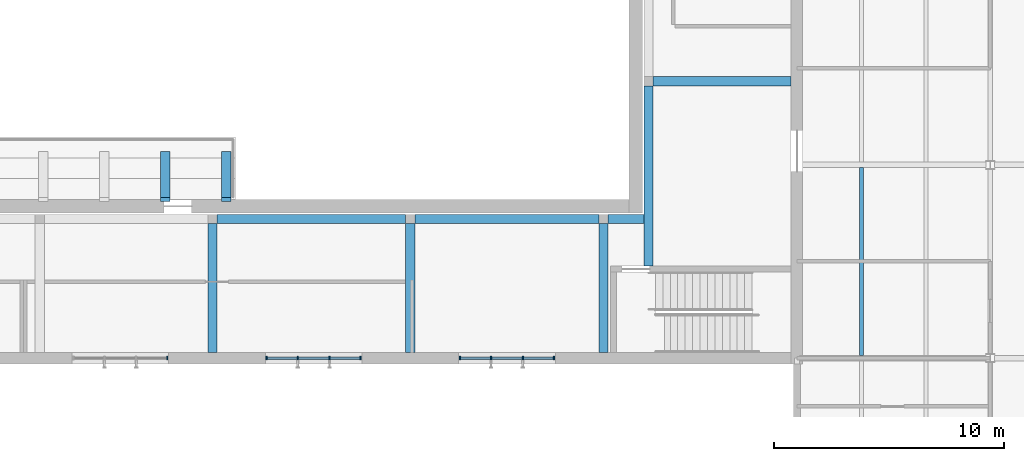
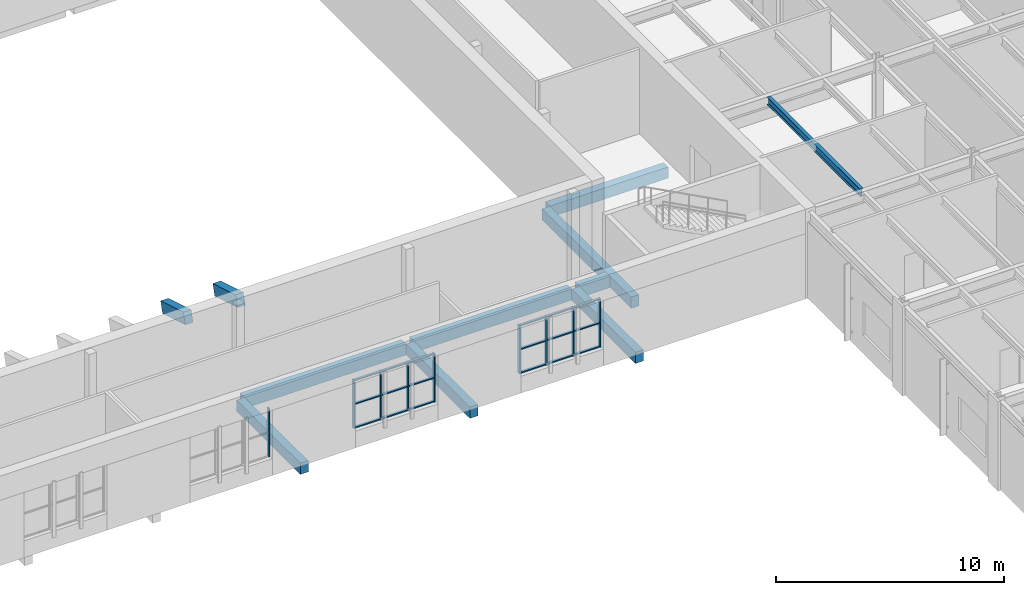
# One storey, part 26 of 127: 27 members, 11 beams, 3 elements without a shape of their own.
"""IFC4 building model written with IfcOpenShell, lengths in metres."""

from ifc_helpers import new_model, si_unit, direction, frame, origin, origin_2d, place, context, subcontext, project, spatial, rectangle, i_section, extrude, material, material_profile, profile_set, type_object, element, aggregate, save


model = new_model("IFC4")

# Units and contexts
model_context = context("Model", 3, precision=1e-05, world=origin(), true_north=direction((0.0, 1.0)))
body_context = subcontext(model_context, "Body", "Model", "MODEL_VIEW")
ifc_project = project(units=[si_unit("LENGTHUNIT", "METRE"), si_unit("AREAUNIT", "SQUARE_METRE"), si_unit("VOLUMEUNIT", "CUBIC_METRE"), si_unit("PLANEANGLEUNIT", "RADIAN"), si_unit("MASSUNIT", "GRAM", prefix="KILO")], contexts=[model_context])

# Site, building, storey
site_placement = place(None, origin())
site = spatial("IfcSite", under=ifc_project, at=site_placement, CompositionType="ELEMENT")
building_placement = place(site_placement, origin())
building = spatial("IfcBuilding", under=site, at=building_placement, Name="Ljudholm Concert House", CompositionType="ELEMENT")
storey_placement = place(building_placement, frame((0.0, 0.0, 5.39990234375)))
storey = spatial("IfcBuildingStorey", under=building, at=storey_placement, Name="L01", CompositionType="ELEMENT", Elevation=5.39990234375)

# Curtain wall, member
ifc_material_1 = material(Name="Aluminium curtain wall with impact-rated laminated glass", Category="aluminium")
curtain_wall_type = type_object("IfcCurtainWallType", Name="CURTAIN WALL 1400", PredefinedType="NOTDEFINED", material=ifc_material_1)
curtain_wall_1_placement = place(storey_placement, origin())
curtain_wall_1 = element("IfcCurtainWall", 1, at=curtain_wall_1_placement, inside=storey, type_object=curtain_wall_type, Name="Promenade curtain wall", PredefinedType="NOTDEFINED")
ifc_material_2 = material(Name="Aluminium extrusion", Category="aluminium")
ifc_material_profile_1 = material_profile(ifc_material_2, rectangle(XDim=0.159912109375, YDim=0.06005859375, at=origin_2d()), Name="MULLION 60x160")
ifc_profile_set_1 = profile_set([ifc_material_profile_1], Name="Aluminium extrusion")
member_type_1 = type_object("IfcMemberType", Name="MULLION 60x160", PredefinedType="MULLION", material=ifc_profile_set_1)
member_1_placement = place(storey_placement, frame((69.0400390625, 54.39990234375, 0.900146484375), z_axis=(0.0, 0.0, 1.0), x_axis=(0.0, 1.0, 0.0)))
member_1 = element("IfcMember", 2, at=member_1_placement, type_object=member_type_1, Name="Mullion", PredefinedType="MULLION", context=body_context, shape_type="SweptSolid", body=[
    extrude(rectangle(XDim=0.159912109375, YDim=0.06005859375, at=origin_2d()), origin(), (0.0, 0.0, 1.0), 2.599853515625),
])
aggregate(curtain_wall_1, [member_1])

# Curtain wall, members
curtain_wall_2_placement = place(storey_placement, origin())
curtain_wall_2 = element("IfcCurtainWall", 3, at=curtain_wall_2_placement, inside=storey, type_object=curtain_wall_type, Name="Promenade curtain wall", PredefinedType="NOTDEFINED")
member_2_placement = place(storey_placement, frame((73.360107421875, 54.39990234375, 0.900146484375), z_axis=(0.0, 0.0, 1.0), x_axis=(0.0, 1.0, 0.0)))
member_2 = element("IfcMember", 4, at=member_2_placement, type_object=member_type_1, Name="Mullion", PredefinedType="MULLION", context=body_context, shape_type="SweptSolid", body=[
    extrude(rectangle(XDim=0.159912109375, YDim=0.06005859375, at=origin_2d()), origin(), (0.0, 0.0, 1.0), 2.599853515625),
])
member_3_placement = place(storey_placement, frame((74.7099609375, 54.39990234375, 0.900146484375), z_axis=(0.0, 0.0, 1.0), x_axis=(0.0, 1.0, 0.0)))
member_3 = element("IfcMember", 5, at=member_3_placement, type_object=member_type_1, Name="Mullion", PredefinedType="MULLION", context=body_context, shape_type="SweptSolid", body=[
    extrude(rectangle(XDim=0.159912109375, YDim=0.06005859375, at=origin_2d()), origin(), (0.0, 0.0, 1.0), 2.599853515625),
])
member_4_placement = place(storey_placement, frame((76.090087890625, 54.39990234375, 0.900146484375), z_axis=(0.0, 0.0, 1.0), x_axis=(0.0, 1.0, 0.0)))
member_4 = element("IfcMember", 6, at=member_4_placement, type_object=member_type_1, Name="Mullion", PredefinedType="MULLION", context=body_context, shape_type="SweptSolid", body=[
    extrude(rectangle(XDim=0.159912109375, YDim=0.06005859375, at=origin_2d()), origin(), (0.0, 0.0, 1.0), 2.599853515625),
])
member_5_placement = place(storey_placement, frame((77.43994140625, 54.39990234375, 0.900146484375), z_axis=(0.0, 0.0, 1.0), x_axis=(0.0, 1.0, 0.0)))
member_5 = element("IfcMember", 7, at=member_5_placement, type_object=member_type_1, Name="Mullion", PredefinedType="MULLION", context=body_context, shape_type="SweptSolid", body=[
    extrude(rectangle(XDim=0.159912109375, YDim=0.06005859375, at=origin_2d()), origin(), (0.0, 0.0, 1.0), 2.599853515625),
])

curtain_wall_3_placement = place(storey_placement, origin())
curtain_wall_3 = element("IfcCurtainWall", 8, at=curtain_wall_3_placement, inside=storey, type_object=curtain_wall_type, Name="Promenade curtain wall", PredefinedType="NOTDEFINED")
member_6_placement = place(storey_placement, frame((81.760009765625, 54.39990234375, 0.900146484375), z_axis=(0.0, 0.0, 1.0), x_axis=(0.0, 1.0, 0.0)))
member_6 = element("IfcMember", 9, at=member_6_placement, type_object=member_type_1, Name="Mullion", PredefinedType="MULLION", context=body_context, shape_type="SweptSolid", body=[
    extrude(rectangle(XDim=0.159912109375, YDim=0.06005859375, at=origin_2d()), origin(), (0.0, 0.0, 1.0), 2.599853515625),
])
member_7_placement = place(storey_placement, frame((83.110107421875, 54.39990234375, 0.900146484375), z_axis=(0.0, 0.0, 1.0), x_axis=(0.0, 1.0, 0.0)))
member_7 = element("IfcMember", 10, at=member_7_placement, type_object=member_type_1, Name="Mullion", PredefinedType="MULLION", context=body_context, shape_type="SweptSolid", body=[
    extrude(rectangle(XDim=0.159912109375, YDim=0.06005859375, at=origin_2d()), origin(), (0.0, 0.0, 1.0), 2.599853515625),
])
member_8_placement = place(storey_placement, frame((84.489990234375, 54.39990234375, 0.900146484375), z_axis=(0.0, 0.0, 1.0), x_axis=(0.0, 1.0, 0.0)))
member_8 = element("IfcMember", 11, at=member_8_placement, type_object=member_type_1, Name="Mullion", PredefinedType="MULLION", context=body_context, shape_type="SweptSolid", body=[
    extrude(rectangle(XDim=0.159912109375, YDim=0.06005859375, at=origin_2d()), origin(), (0.0, 0.0, 1.0), 2.599853515625),
])
member_9_placement = place(storey_placement, frame((85.840087890625, 54.39990234375, 0.900146484375), z_axis=(0.0, 0.0, 1.0), x_axis=(0.0, 1.0, 0.0)))
member_9 = element("IfcMember", 12, at=member_9_placement, type_object=member_type_1, Name="Mullion", PredefinedType="MULLION", context=body_context, shape_type="SweptSolid", body=[
    extrude(rectangle(XDim=0.159912109375, YDim=0.06005859375, at=origin_2d()), origin(), (0.0, 0.0, 1.0), 2.599853515625),
])

# Beams
ifc_material_3 = material(Name="Concrete 6,500 psi", Category="concrete")
ifc_material_profile_2 = material_profile(ifc_material_3, rectangle(XDim=0.39990234375, YDim=0.60009765625, at=origin_2d()), Name="RC BEAM 400x600")
ifc_profile_set_2 = profile_set([ifc_material_profile_2], Name="Concrete 6,500 psi")
beam_type_1 = type_object("IfcBeamType", Name="RC BEAM 400x600", PredefinedType="BEAM", material=ifc_profile_set_2)
beam_1_placement = place(storey_placement, frame((71.199951171875, 60.449951171875, -0.5498046875), z_axis=(1.0, 0.0, 0.0), x_axis=(0.0, 1.0, 0.0)))
element("IfcBeam", 13, at=beam_1_placement, inside=storey, type_object=beam_type_1, Name="Ring beam", PredefinedType="BEAM", context=body_context, shape_type="SweptSolid", body=[
    extrude(rectangle(XDim=0.39990234375, YDim=0.60009765625, at=origin_2d()), origin(), (0.0, 0.0, 1.0), 8.199951171875),
])
beam_2_placement = place(storey_placement, frame((79.800048828125, 60.449951171875, -0.5498046875), z_axis=(1.0, 0.0, 0.0), x_axis=(0.0, 1.0, 0.0)))
element("IfcBeam", 14, at=beam_2_placement, inside=storey, type_object=beam_type_1, Name="Ring beam", PredefinedType="BEAM", context=body_context, shape_type="SweptSolid", body=[
    extrude(rectangle(XDim=0.39990234375, YDim=0.60009765625, at=origin_2d()), origin(), (0.0, 0.0, 1.0), 8.0),
])
for number, where, z_axis, x_axis, name in (
    (15, (71.0, 60.25, -0.5498046875), (0.0, -1.0, 0.0), (1.0, 0.0, 0.0), "Ring cross beam"),
    (16, (79.60009765625, 60.25, -0.5498046875), (0.0, -1.0, 0.0), (1.0, 0.0, 0.0), "Ring cross beam"),
    (17, (88.0, 60.25, -0.5498046875), (0.0, -1.0, 0.0), (1.0, 0.0, 0.0), "Ring cross beam"),
):
    element("IfcBeam", number, at=place(storey_placement, frame(where, z_axis=z_axis, x_axis=x_axis)), inside=storey, type_object=beam_type_1, Name=name, PredefinedType="BEAM", context=body_context, shape_type="SweptSolid", body=[
        extrude(rectangle(XDim=0.39990234375, YDim=0.60009765625, at=origin_2d()), origin(), (0.0, 0.0, 1.0), 5.60009765625),
    ])
beam_3_placement = place(storey_placement, frame((90.14990234375, 66.429931640625, -0.5498046875), z_axis=(1.0, 0.0, 0.0), x_axis=(0.0, 1.0, 0.0)))
element("IfcBeam", 18, at=beam_3_placement, inside=storey, type_object=beam_type_1, Name="Ring cross beam", PredefinedType="BEAM", context=body_context, shape_type="SweptSolid", body=[
    extrude(rectangle(XDim=0.39990234375, YDim=0.60009765625, at=origin_2d()), origin(), (0.0, 0.0, 1.0), 6.0),
])
beam_4_placement = place(storey_placement, frame((88.199951171875, 60.449951171875, -0.5498046875), z_axis=(1.0, 0.0, 0.0), x_axis=(0.0, 1.0, 0.0)))
element("IfcBeam", 19, at=beam_4_placement, inside=storey, type_object=beam_type_1, Name="Ring beam", PredefinedType="BEAM", context=body_context, shape_type="SweptSolid", body=[
    extrude(rectangle(XDim=0.39990234375, YDim=0.60009765625, at=origin_2d()), origin(), (0.0, 0.0, 1.0), 1.550048828125),
])
beam_5_placement = place(storey_placement, frame((89.949951171875, 58.39990234375, -0.5498046875), z_axis=(0.0, 1.0, 0.0), x_axis=(-1.0, 0.0, 0.0)))
element("IfcBeam", 20, at=beam_5_placement, inside=storey, type_object=beam_type_1, Name="Ring beam", PredefinedType="BEAM", context=body_context, shape_type="SweptSolid", body=[
    extrude(rectangle(XDim=0.39990234375, YDim=0.60009765625, at=origin_2d()), origin(), (0.0, 0.0, 1.0), 7.830078125),
])
ifc_material_4 = material(Name="Concrete 6,500 psi", Category="concrete")
ifc_material_profile_3 = material_profile(ifc_material_4, rectangle(XDim=0.39990234375, YDim=0.60009765625, at=origin_2d()), Name="RC BEAM 400x600 BEAM")
ifc_profile_set_3 = profile_set([ifc_material_profile_3], Name="Concrete 6,500 psi")
beam_type_2 = type_object("IfcBeamType", Name="RC BEAM 400x600 BEAM", PredefinedType="BEAM", material=ifc_profile_set_3)
for number, where, z_axis, x_axis, name in (
    (21, (68.949951171875, 61.300048828125, 4.2001953125), (0.0, 0.957813412269, -0.287390791914), (-1.0, 0.0, 0.0), "Gallery bracket beam"),
    (22, (71.60009765625, 61.300048828125, 4.2001953125), (0.0, 0.957813412269, -0.287390791914), (-1.0, 0.0, 0.0), "Gallery bracket beam"),
):
    element("IfcBeam", number, at=place(storey_placement, frame(where, z_axis=z_axis, x_axis=x_axis)), inside=storey, type_object=beam_type_2, Name=name, PredefinedType="BEAM", context=body_context, shape_type="SweptSolid", body=[
        extrude(rectangle(XDim=0.39990234375, YDim=0.60009765625, at=origin_2d()), origin(), (0.0, 0.0, 1.0), 2.088134765625),
    ])
ifc_material_5 = material(Name="Steel ASTM A992", Category="steel")
ifc_material_profile_4 = material_profile(ifc_material_5, i_section(OverallWidth=0.177734375, OverallDepth=0.406494140625, WebThickness=0.0078125, FlangeThickness=0.012939453125, FilletRadius=0.01025390625, at=origin_2d()), Name="W16X40")
ifc_profile_set_4 = profile_set([ifc_material_profile_4], Name="Steel ASTM A992")
beam_type_3 = type_object("IfcBeamType", Name="STEEL BEAM W16X40", PredefinedType="BEAM", material=ifc_profile_set_4)
beam_6_placement = place(storey_placement, frame((99.199951171875, 54.5146484375, 4.4169921875), z_axis=(0.0, 1.0, 0.0), x_axis=(-1.0, 0.0, 0.0)))
element("IfcBeam", 23, at=beam_6_placement, inside=storey, type_object=beam_type_3, Name="Beam BOH-L02-sb-99.2-54.4", PredefinedType="BEAM", context=body_context, shape_type="SweptSolid", body=[
    extrude(i_section(OverallWidth=0.177734375, OverallDepth=0.406494140625, WebThickness=0.0078125, FlangeThickness=0.012939453125, FilletRadius=0.01025390625, at=origin_2d()), origin(), (0.0, 0.0, 1.0), 8.1708984375),
])

# Member
ifc_material_6 = material(Name="Aluminium extrusion", Category="aluminium")
ifc_material_profile_5 = material_profile(ifc_material_6, rectangle(XDim=0.1201171875, YDim=0.06005859375, at=origin_2d()), Name="TRANSOM 60x120")
ifc_profile_set_5 = profile_set([ifc_material_profile_5], Name="Aluminium extrusion")
member_type_2 = type_object("IfcMemberType", Name="TRANSOM 60x120", PredefinedType="USERDEFINED", material=ifc_profile_set_5)
member_10_placement = place(storey_placement, frame((73.389892578125, 54.39990234375, 0.93017578125), z_axis=(1.0, 0.0, 0.0), x_axis=(0.0, 1.0, 0.0)))
member_10 = element("IfcMember", 24, at=member_10_placement, type_object=member_type_2, Name="Transom", ObjectType="TRANSOM", PredefinedType="USERDEFINED", context=body_context, shape_type="SweptSolid", body=[
    extrude(rectangle(XDim=0.1201171875, YDim=0.06005859375, at=origin_2d()), origin(), (0.0, 0.0, 1.0), 1.2900390625),
])

member_11_placement = place(storey_placement, frame((73.389892578125, 54.39990234375, 2.2001953125), z_axis=(1.0, 0.0, 0.0), x_axis=(0.0, 1.0, 0.0)))
member_11 = element("IfcMember", 25, at=member_11_placement, type_object=member_type_2, Name="Transom", ObjectType="TRANSOM", PredefinedType="USERDEFINED", context=body_context, shape_type="SweptSolid", body=[
    extrude(rectangle(XDim=0.1201171875, YDim=0.06005859375, at=origin_2d()), origin(), (0.0, 0.0, 1.0), 1.2900390625),
])

member_12_placement = place(storey_placement, frame((73.389892578125, 54.39990234375, 3.47021484375), z_axis=(1.0, 0.0, 0.0), x_axis=(0.0, 1.0, 0.0)))
member_12 = element("IfcMember", 26, at=member_12_placement, type_object=member_type_2, Name="Transom", ObjectType="TRANSOM", PredefinedType="USERDEFINED", context=body_context, shape_type="SweptSolid", body=[
    extrude(rectangle(XDim=0.1201171875, YDim=0.06005859375, at=origin_2d()), origin(), (0.0, 0.0, 1.0), 1.2900390625),
])

member_13_placement = place(storey_placement, frame((74.739990234375, 54.39990234375, 0.93017578125), z_axis=(1.0, 0.0, 0.0), x_axis=(0.0, 1.0, 0.0)))
member_13 = element("IfcMember", 27, at=member_13_placement, type_object=member_type_2, Name="Transom", ObjectType="TRANSOM", PredefinedType="USERDEFINED", context=body_context, shape_type="SweptSolid", body=[
    extrude(rectangle(XDim=0.1201171875, YDim=0.06005859375, at=origin_2d()), origin(), (0.0, 0.0, 1.0), 1.320068359375),
])

member_14_placement = place(storey_placement, frame((74.739990234375, 54.39990234375, 2.2001953125), z_axis=(1.0, 0.0, 0.0), x_axis=(0.0, 1.0, 0.0)))
member_14 = element("IfcMember", 28, at=member_14_placement, type_object=member_type_2, Name="Transom", ObjectType="TRANSOM", PredefinedType="USERDEFINED", context=body_context, shape_type="SweptSolid", body=[
    extrude(rectangle(XDim=0.1201171875, YDim=0.06005859375, at=origin_2d()), origin(), (0.0, 0.0, 1.0), 1.320068359375),
])

member_15_placement = place(storey_placement, frame((74.739990234375, 54.39990234375, 3.47021484375), z_axis=(1.0, 0.0, 0.0), x_axis=(0.0, 1.0, 0.0)))
member_15 = element("IfcMember", 29, at=member_15_placement, type_object=member_type_2, Name="Transom", ObjectType="TRANSOM", PredefinedType="USERDEFINED", context=body_context, shape_type="SweptSolid", body=[
    extrude(rectangle(XDim=0.1201171875, YDim=0.06005859375, at=origin_2d()), origin(), (0.0, 0.0, 1.0), 1.320068359375),
])

member_16_placement = place(storey_placement, frame((76.1201171875, 54.39990234375, 0.93017578125), z_axis=(1.0, 0.0, 0.0), x_axis=(0.0, 1.0, 0.0)))
member_16 = element("IfcMember", 30, at=member_16_placement, type_object=member_type_2, Name="Transom", ObjectType="TRANSOM", PredefinedType="USERDEFINED", context=body_context, shape_type="SweptSolid", body=[
    extrude(rectangle(XDim=0.1201171875, YDim=0.06005859375, at=origin_2d()), origin(), (0.0, 0.0, 1.0), 1.289794921875),
])

member_17_placement = place(storey_placement, frame((76.1201171875, 54.39990234375, 2.2001953125), z_axis=(1.0, 0.0, 0.0), x_axis=(0.0, 1.0, 0.0)))
member_17 = element("IfcMember", 31, at=member_17_placement, type_object=member_type_2, Name="Transom", ObjectType="TRANSOM", PredefinedType="USERDEFINED", context=body_context, shape_type="SweptSolid", body=[
    extrude(rectangle(XDim=0.1201171875, YDim=0.06005859375, at=origin_2d()), origin(), (0.0, 0.0, 1.0), 1.289794921875),
])

member_18_placement = place(storey_placement, frame((76.1201171875, 54.39990234375, 3.47021484375), z_axis=(1.0, 0.0, 0.0), x_axis=(0.0, 1.0, 0.0)))
member_18 = element("IfcMember", 32, at=member_18_placement, type_object=member_type_2, Name="Transom", ObjectType="TRANSOM", PredefinedType="USERDEFINED", context=body_context, shape_type="SweptSolid", body=[
    extrude(rectangle(XDim=0.1201171875, YDim=0.06005859375, at=origin_2d()), origin(), (0.0, 0.0, 1.0), 1.289794921875),
])

aggregate(curtain_wall_2, [member_2, member_3, member_4, member_5, member_10, member_11, member_12, member_13, member_14, member_15, member_16, member_17, member_18])

member_19_placement = place(storey_placement, frame((81.7900390625, 54.39990234375, 0.93017578125), z_axis=(1.0, 0.0, 0.0), x_axis=(0.0, 1.0, 0.0)))
member_19 = element("IfcMember", 33, at=member_19_placement, type_object=member_type_2, Name="Transom", ObjectType="TRANSOM", PredefinedType="USERDEFINED", context=body_context, shape_type="SweptSolid", body=[
    extrude(rectangle(XDim=0.1201171875, YDim=0.06005859375, at=origin_2d()), origin(), (0.0, 0.0, 1.0), 1.2900390625),
])

member_20_placement = place(storey_placement, frame((81.7900390625, 54.39990234375, 2.2001953125), z_axis=(1.0, 0.0, 0.0), x_axis=(0.0, 1.0, 0.0)))
member_20 = element("IfcMember", 34, at=member_20_placement, type_object=member_type_2, Name="Transom", ObjectType="TRANSOM", PredefinedType="USERDEFINED", context=body_context, shape_type="SweptSolid", body=[
    extrude(rectangle(XDim=0.1201171875, YDim=0.06005859375, at=origin_2d()), origin(), (0.0, 0.0, 1.0), 1.2900390625),
])

member_21_placement = place(storey_placement, frame((81.7900390625, 54.39990234375, 3.47021484375), z_axis=(1.0, 0.0, 0.0), x_axis=(0.0, 1.0, 0.0)))
member_21 = element("IfcMember", 35, at=member_21_placement, type_object=member_type_2, Name="Transom", ObjectType="TRANSOM", PredefinedType="USERDEFINED", context=body_context, shape_type="SweptSolid", body=[
    extrude(rectangle(XDim=0.1201171875, YDim=0.06005859375, at=origin_2d()), origin(), (0.0, 0.0, 1.0), 1.2900390625),
])

member_22_placement = place(storey_placement, frame((83.139892578125, 54.39990234375, 0.93017578125), z_axis=(1.0, 0.0, 0.0), x_axis=(0.0, 1.0, 0.0)))
member_22 = element("IfcMember", 36, at=member_22_placement, type_object=member_type_2, Name="Transom", ObjectType="TRANSOM", PredefinedType="USERDEFINED", context=body_context, shape_type="SweptSolid", body=[
    extrude(rectangle(XDim=0.1201171875, YDim=0.06005859375, at=origin_2d()), origin(), (0.0, 0.0, 1.0), 1.320068359375),
])

member_23_placement = place(storey_placement, frame((83.139892578125, 54.39990234375, 2.2001953125), z_axis=(1.0, 0.0, 0.0), x_axis=(0.0, 1.0, 0.0)))
member_23 = element("IfcMember", 37, at=member_23_placement, type_object=member_type_2, Name="Transom", ObjectType="TRANSOM", PredefinedType="USERDEFINED", context=body_context, shape_type="SweptSolid", body=[
    extrude(rectangle(XDim=0.1201171875, YDim=0.06005859375, at=origin_2d()), origin(), (0.0, 0.0, 1.0), 1.320068359375),
])

member_24_placement = place(storey_placement, frame((83.139892578125, 54.39990234375, 3.47021484375), z_axis=(1.0, 0.0, 0.0), x_axis=(0.0, 1.0, 0.0)))
member_24 = element("IfcMember", 38, at=member_24_placement, type_object=member_type_2, Name="Transom", ObjectType="TRANSOM", PredefinedType="USERDEFINED", context=body_context, shape_type="SweptSolid", body=[
    extrude(rectangle(XDim=0.1201171875, YDim=0.06005859375, at=origin_2d()), origin(), (0.0, 0.0, 1.0), 1.320068359375),
])

member_25_placement = place(storey_placement, frame((84.52001953125, 54.39990234375, 0.93017578125), z_axis=(1.0, 0.0, 0.0), x_axis=(0.0, 1.0, 0.0)))
member_25 = element("IfcMember", 39, at=member_25_placement, type_object=member_type_2, Name="Transom", ObjectType="TRANSOM", PredefinedType="USERDEFINED", context=body_context, shape_type="SweptSolid", body=[
    extrude(rectangle(XDim=0.1201171875, YDim=0.06005859375, at=origin_2d()), origin(), (0.0, 0.0, 1.0), 1.2900390625),
])

member_26_placement = place(storey_placement, frame((84.52001953125, 54.39990234375, 2.2001953125), z_axis=(1.0, 0.0, 0.0), x_axis=(0.0, 1.0, 0.0)))
member_26 = element("IfcMember", 40, at=member_26_placement, type_object=member_type_2, Name="Transom", ObjectType="TRANSOM", PredefinedType="USERDEFINED", context=body_context, shape_type="SweptSolid", body=[
    extrude(rectangle(XDim=0.1201171875, YDim=0.06005859375, at=origin_2d()), origin(), (0.0, 0.0, 1.0), 1.2900390625),
])

member_27_placement = place(storey_placement, frame((84.52001953125, 54.39990234375, 3.47021484375), z_axis=(1.0, 0.0, 0.0), x_axis=(0.0, 1.0, 0.0)))
member_27 = element("IfcMember", 41, at=member_27_placement, type_object=member_type_2, Name="Transom", ObjectType="TRANSOM", PredefinedType="USERDEFINED", context=body_context, shape_type="SweptSolid", body=[
    extrude(rectangle(XDim=0.1201171875, YDim=0.06005859375, at=origin_2d()), origin(), (0.0, 0.0, 1.0), 1.2900390625),
])

aggregate(curtain_wall_3, [member_6, member_7, member_8, member_9, member_19, member_20, member_21, member_22, member_23, member_24, member_25, member_26, member_27])

save(model, "model.ifc")
